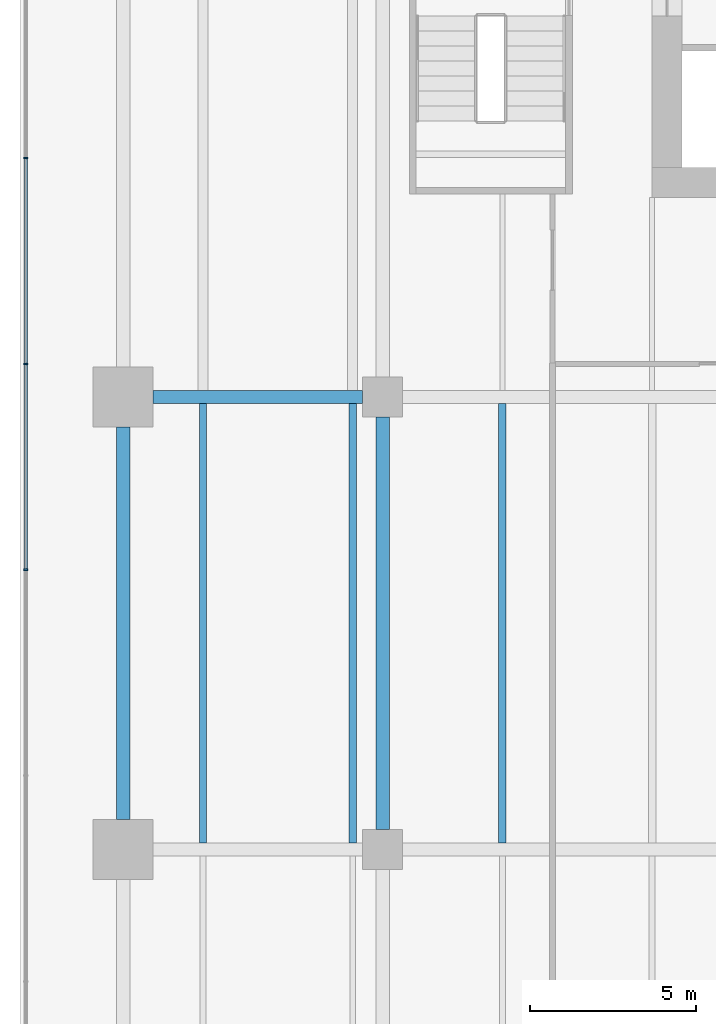
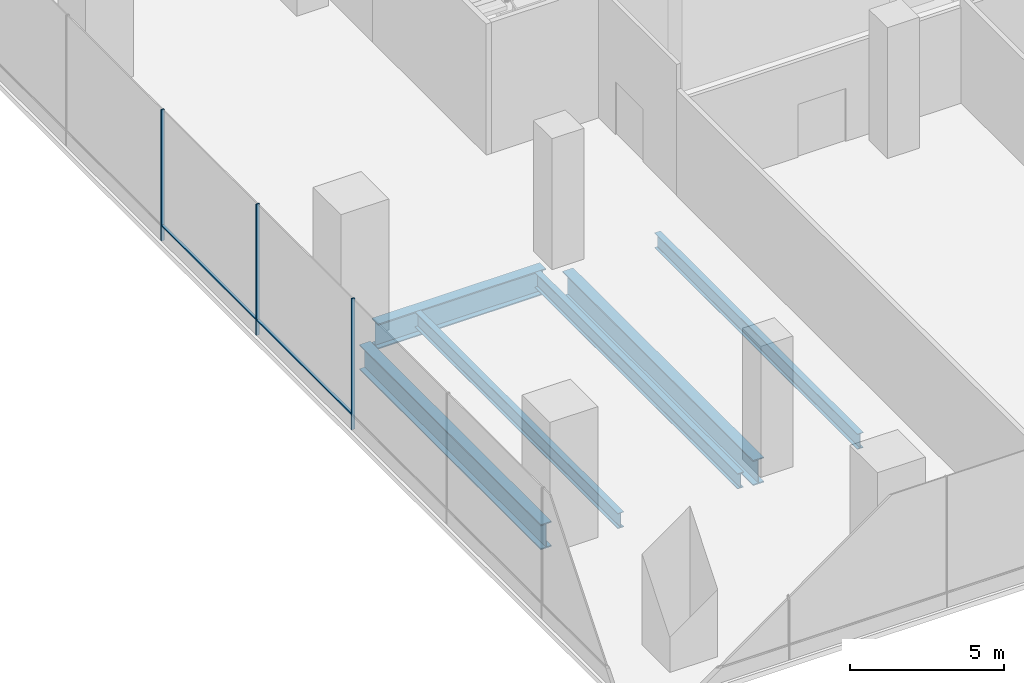
# One storey, part 4 of 26: 6 beams, 5 members, 1 element without a shape of its own.
"""IFC4 building model written with IfcOpenShell, lengths in metres."""

import ifcopenshell
import ifcopenshell.guid

model = None  # the IFC model being written
_history = None  # IfcOwnerHistory: only IFC2X3 demands one
_inside = {}  # id of a spatial element -> (the spatial element, [elements in it])
_under = {}  # id of a project, library or spatial element -> (it, [spatial elements below it])
_declared = {}  # id of a project -> (the project, [libraries it declares])
_typed = {}  # id of a type object -> (the type object, [elements of that type])
_made_of = {}  # id of a material, layer set ... -> (it, [elements and type objects made of it])


def new_model(schema):
    """Start an empty IFC model of exactly this schema.

    Asked for "IFC4X3", IfcOpenShell would pick the latest addendum, in which some entities
    have other attributes; the version numbers below select the first issue.
    IFC2X3 requires an IfcOwnerHistory on every rooted entity: one is made here for all.
    """
    global model, _history
    if schema == "IFC4X3":
        model = ifcopenshell.file(schema_version=(4, 3, 0, 0))
    else:
        model = ifcopenshell.file(schema=schema)
    _inside.clear()
    _under.clear()
    _declared.clear()
    _typed.clear()
    _made_of.clear()
    _history = None
    if model.schema == "IFC2X3":
        org = make("IfcOrganization", Name="unknown")
        user = make(
            "IfcPersonAndOrganization",
            ThePerson=make("IfcPerson", FamilyName="unknown"),
            TheOrganization=org,
        )
        app = make(
            "IfcApplication",
            ApplicationDeveloper=org,
            Version="unknown",
            ApplicationFullName="unknown",
            ApplicationIdentifier="unknown",
        )
        _history = make(
            "IfcOwnerHistory",
            OwningUser=user,
            OwningApplication=app,
            ChangeAction="ADDED",
            CreationDate=0,
        )
    return model


def make(cls, **values):
    """One entity of the class cls with the attributes given. An attribute that is None is left unset."""
    return model.create_entity(
        cls, **{name: value for name, value in values.items() if value is not None}
    )


def rooted(cls, **values):
    """An entity with a GlobalId (a new one), such as an element, a storey or a relation."""
    return make(cls, GlobalId=ifcopenshell.guid.new(), OwnerHistory=_history, **values)


def si_unit(unit_type, name, prefix=None):
    """IfcSIUnit, for example si_unit("LENGTHUNIT", "METRE", prefix="MILLI")."""
    return make("IfcSIUnit", UnitType=unit_type, Prefix=prefix, Name=name)


def assignment(units):
    """IfcUnitAssignment: the units of a project."""
    return None if units is None else make("IfcUnitAssignment", Units=units)


def point(xyz):
    """IfcCartesianPoint."""
    return None if xyz is None else make("IfcCartesianPoint", Coordinates=xyz)


def direction(xyz):
    """IfcDirection."""
    return None if xyz is None else make("IfcDirection", DirectionRatios=xyz)


def frame(location, z_axis=None, x_axis=None):
    """IfcAxis2Placement3D, a coordinate frame: its origin and axes. An axis left out is left unset."""
    return make(
        "IfcAxis2Placement3D",
        Location=point(location),
        Axis=direction(z_axis),
        RefDirection=direction(x_axis),
    )


def frame_2d(location, x_axis=None):
    """IfcAxis2Placement2D, a coordinate frame in the plane: its origin and x axis."""
    return make(
        "IfcAxis2Placement2D", Location=point(location), RefDirection=direction(x_axis)
    )


def origin():
    """The frame at (0, 0, 0) with its axes left unset."""
    return frame((0.0, 0.0, 0.0))


def origin_2d():
    """The frame at (0, 0) in the plane with its x axis left unset."""
    return frame_2d((0.0, 0.0))


def place(relative_to, where):
    """IfcLocalPlacement: puts the frame where relative to a parent placement (None: the world)."""
    return make(
        "IfcLocalPlacement", PlacementRelTo=relative_to, RelativePlacement=where
    )


def context(
    kind, dimensions, precision=None, world=None, true_north=None, identifier=None
):
    """IfcGeometricRepresentationContext, for example the 3D "Model" context."""
    return make(
        "IfcGeometricRepresentationContext",
        ContextIdentifier=identifier,
        ContextType=kind,
        CoordinateSpaceDimension=dimensions,
        Precision=precision,
        WorldCoordinateSystem=world,
        TrueNorth=true_north,
    )


def subcontext(parent, identifier, kind, view, scale=None):
    """IfcGeometricRepresentationSubContext, for example "Body" below "Model"."""
    return make(
        "IfcGeometricRepresentationSubContext",
        ContextIdentifier=identifier,
        ContextType=kind,
        ParentContext=parent,
        TargetScale=scale,
        TargetView=view,
    )


def project(units=None, contexts=None):
    """IfcProject with its units and contexts."""
    return rooted(
        "IfcProject",
        Name="project",
        RepresentationContexts=contexts,
        UnitsInContext=assignment(units),
    )


def spatial(cls, under=None, at=None, **own):
    """A site, building, storey or space (cls), placed at a placement, below another one or the project."""
    s = rooted(cls, ObjectPlacement=at, **own)
    if under is not None:
        _under.setdefault(under.id(), (under, []))[1].append(s)
    return s


def profile(cls, at=None, kind="AREA", **sizes):
    """A parametric profile (cls). Its sizes go by their IFC names, for example OverallWidth=200.0."""
    return make(cls, ProfileType=kind, Position=at, **sizes)


def rectangle(**sizes):
    """IfcRectangleProfileDef."""
    return profile("IfcRectangleProfileDef", **sizes)


def i_section(**sizes):
    """IfcIShapeProfileDef."""
    return profile("IfcIShapeProfileDef", **sizes)


def extrude(swept, where, along, depth):
    """IfcExtrudedAreaSolid: the profile swept, set in the frame where, extruded along a direction by depth."""
    return make(
        "IfcExtrudedAreaSolid",
        SweptArea=swept,
        Position=where,
        ExtrudedDirection=direction(along),
        Depth=depth,
    )


def shape(context_of_items, identifier, shape_type, items):
    """IfcShapeRepresentation: the items that make up one representation, for example the "Body"."""
    return make(
        "IfcShapeRepresentation",
        ContextOfItems=context_of_items,
        RepresentationIdentifier=identifier,
        RepresentationType=shape_type,
        Items=items,
    )


def material(Name=None, Category=None):
    """IfcMaterial."""
    return make("IfcMaterial", Name=Name, Category=Category)


def layer(
    of_material, thickness, ventilated=None, Name=None, Category=None, Priority=None
):
    """IfcMaterialLayer: one layer of a wall or slab, of a material (None: an air gap)."""
    return make(
        "IfcMaterialLayer",
        Material=of_material,
        LayerThickness=thickness,
        IsVentilated=ventilated,
        Name=Name,
        Category=Category,
        Priority=Priority,
    )


def layer_set(layers, Name=None):
    """IfcMaterialLayerSet."""
    return make("IfcMaterialLayerSet", MaterialLayers=layers, LayerSetName=Name)


def material_profile(
    of_material, cross_section, Name=None, Category=None, Priority=None
):
    """IfcMaterialProfile: a cross section and its material."""
    return make(
        "IfcMaterialProfile",
        Name=Name,
        Material=of_material,
        Profile=cross_section,
        Priority=Priority,
        Category=Category,
    )


def profile_set(profiles, Name=None, composite=None):
    """IfcMaterialProfileSet."""
    return make(
        "IfcMaterialProfileSet",
        Name=Name,
        MaterialProfiles=profiles,
        CompositeProfile=composite,
    )


def made_of(thing, what):
    """Note that an element or type object is made of a material, layer set ...; save() writes the relation."""
    if what is not None:
        _made_of.setdefault(what.id(), (what, []))[1].append(thing)
    return thing


def type_object(cls, material=None, **own):
    """A type object (cls), such as IfcWallType, which elements share."""
    return made_of(rooted(cls, **own), material)


def element(
    cls,
    number,
    at=None,
    inside=None,
    cuts=None,
    type_object=None,
    material=None,
    context=None,
    identifier="Body",
    shape_type=None,
    held_by="IfcProductDefinitionShape",
    body=None,
    shapes=None,
    **own,
):
    """One element of the class cls, such as IfcWall. Its Tag is "e" and its number.

    at: its placement. inside: the storey or other place that contains it. cuts: it is an
    opening in that element (IfcRelVoidsElement). A single representation is given by context,
    identifier, shape_type and body (its items); several are given by shapes. held_by: the class
    of the entity that holds the representations. save() writes the other relations.
    """
    e = rooted(cls, Tag="e%d" % number, ObjectPlacement=at, **own)
    if body is not None:
        shapes = [shape(context, identifier, shape_type, body)]
    if shapes is not None:
        e.Representation = make(held_by, Representations=shapes)
    if inside is not None:
        _inside.setdefault(inside.id(), (inside, []))[1].append(e)
    if cuts is not None:
        rooted(
            "IfcRelVoidsElement", RelatingBuildingElement=cuts, RelatedOpeningElement=e
        )
    if type_object is not None:
        _typed.setdefault(type_object.id(), (type_object, []))[1].append(e)
    return made_of(e, material)


def aggregate(whole, parts):
    """IfcRelAggregates: a whole, such as a stair, and the parts it consists of."""
    return rooted("IfcRelAggregates", RelatingObject=whole, RelatedObjects=parts)


def save(model, path):
    """Write the relations noted so far, then the file.

    IfcRelAggregates (storeys below a building ...), IfcRelContainedInSpatialStructure (elements
    in a storey), IfcRelDefinesByType, IfcRelAssociatesMaterial and IfcRelDeclares: one each for
    every whole, place, type object, material and project.
    """
    for whole, parts in _under.values():
        aggregate(whole, parts)
    for where, things in _inside.values():
        rooted(
            "IfcRelContainedInSpatialStructure",
            RelatedElements=things,
            RelatingStructure=where,
        )
    for kind, things in _typed.values():
        rooted("IfcRelDefinesByType", RelatedObjects=things, RelatingType=kind)
    for what, things in _made_of.values():
        rooted("IfcRelAssociatesMaterial", RelatedObjects=things, RelatingMaterial=what)
    for by, libraries in _declared.values():
        rooted("IfcRelDeclares", RelatingContext=by, RelatedDefinitions=libraries)
    model.write(path)


model = new_model("IFC4")

# Units and contexts
model_context = context("Model", 3, precision=1e-05, world=origin(), true_north=direction((0.0, 1.0)))
body_context = subcontext(model_context, "Body", "Model", "MODEL_VIEW")
ifc_project = project(units=[si_unit("LENGTHUNIT", "METRE"), si_unit("AREAUNIT", "SQUARE_METRE"), si_unit("VOLUMEUNIT", "CUBIC_METRE"), si_unit("PLANEANGLEUNIT", "RADIAN"), si_unit("MASSUNIT", "GRAM", prefix="KILO")], contexts=[model_context])

# Site, building, storey
site_placement = place(None, origin())
site = spatial("IfcSite", under=ifc_project, at=site_placement, CompositionType="ELEMENT")
building_placement = place(site_placement, origin())
building = spatial("IfcBuilding", under=site, at=building_placement, Name="Rattan Terrace Tower", CompositionType="ELEMENT")
storey_placement = place(building_placement, frame((0.0, 0.0, 7.199951171875)))
storey = spatial("IfcBuildingStorey", under=building, at=storey_placement, Name="L01", CompositionType="ELEMENT", Elevation=7.199951171875)

# Beams
ifc_material_1 = material(Name="Steel S355", Category="steel")
ifc_material_profile_1 = material_profile(ifc_material_1, i_section(OverallWidth=0.22412109375, OverallDepth=0.610107421875, WebThickness=0.014892578125, FlangeThickness=0.02392578125, FilletRadius=0.02392578125, at=origin_2d()), Name="IPE O 600")
ifc_profile_set_1 = profile_set([ifc_material_profile_1], Name="Steel S355")
beam_type_1 = type_object("IfcBeamType", Name="Frame floor beam IPE O 600", PredefinedType="JOIST", material=ifc_profile_set_1)
for number, where, z_axis, x_axis, name in (
    (1, (-31.5, -26.89990234375, -0.5048828125), (0.0, 1.0, 0.0), (-1.0, 0.0, 0.0), "bm-L01-015"),
    (2, (-27.0, -26.89990234375, -0.5048828125), (0.0, 1.0, 0.0), (-1.0, 0.0, 0.0), "bm-L01-016"),
    (3, (-22.5, -26.89990234375, -0.5048828125), (0.0, 1.0, 0.0), (-1.0, 0.0, 0.0), "bm-L01-017"),
):
    element("IfcBeam", number, at=place(storey_placement, frame(where, z_axis=z_axis, x_axis=x_axis)), inside=storey, type_object=beam_type_1, Name=name, PredefinedType="JOIST", context=body_context, shape_type="SweptSolid", body=[
        extrude(i_section(OverallWidth=0.22412109375, OverallDepth=0.610107421875, WebThickness=0.014892578125, FlangeThickness=0.02392578125, FilletRadius=0.02392578125, at=origin_2d()), origin(), (0.0, 0.0, 1.0), 13.199951171875),
    ])
ifc_material_2 = material(Name="Steel S460", Category="steel")
ifc_material_profile_2 = material_profile(ifc_material_2, i_section(OverallWidth=0.39990234375, OverallDepth=1.0, WebThickness=0.01806640625, FlangeThickness=0.044921875, at=origin_2d()), Name="PG 1000x400-18-45")
ifc_profile_set_2 = profile_set([ifc_material_profile_2], Name="Steel S460")
beam_type_2 = type_object("IfcBeamType", Name="Frame podium girder PG 1000x400-18-45", PredefinedType="USERDEFINED", material=ifc_profile_set_2)
beam_1_placement = place(storey_placement, frame((-26.10009765625, -26.5, -0.699951171875), z_axis=(0.0, 1.0, 0.0), x_axis=(-1.0, 0.0, 0.0)))
element("IfcBeam", 4, at=beam_1_placement, inside=storey, type_object=beam_type_2, Name="gdr-L01-020", ObjectType="PODIUM GIRDER", PredefinedType="USERDEFINED", context=body_context, shape_type="SweptSolid", body=[
    extrude(i_section(OverallWidth=0.39990234375, OverallDepth=1.0, WebThickness=0.01806640625, FlangeThickness=0.044921875, at=origin_2d()), origin(), (0.0, 0.0, 1.0), 12.39990234375),
])
beam_2_placement = place(storey_placement, frame((-33.89990234375, -26.199951171875, -0.699951171875), z_axis=(0.0, 1.0, 0.0), x_axis=(-1.0, 0.0, 0.0)))
element("IfcBeam", 5, at=beam_2_placement, inside=storey, type_object=beam_type_2, Name="gdr-L01-025", ObjectType="PODIUM GIRDER", PredefinedType="USERDEFINED", context=body_context, shape_type="SweptSolid", body=[
    extrude(i_section(OverallWidth=0.39990234375, OverallDepth=1.0, WebThickness=0.01806640625, FlangeThickness=0.044921875, at=origin_2d()), origin(), (0.0, 0.0, 1.0), 11.800048828125),
])
beam_3_placement = place(storey_placement, frame((-33.0, -13.5, -0.699951171875), z_axis=(1.0, 0.0, 0.0), x_axis=(0.0, 1.0, 0.0)))
element("IfcBeam", 6, at=beam_3_placement, inside=storey, type_object=beam_type_2, Name="gdr-L01-027", ObjectType="PODIUM GIRDER", PredefinedType="USERDEFINED", context=body_context, shape_type="SweptSolid", body=[
    extrude(i_section(OverallWidth=0.39990234375, OverallDepth=1.0, WebThickness=0.01806640625, FlangeThickness=0.044921875, at=origin_2d()), origin(), (0.0, 0.0, 1.0), 6.300048828125),
])

# Curtain wall, members
ifc_material_3 = material(Name="Aluminium and glass", Category="aluminium")
ifc_layer = layer(ifc_material_3, 0.1201171875)
ifc_layer_set = layer_set([ifc_layer], Name="Station Storefront Curtain Wall")
curtain_wall_type = type_object("IfcCurtainWallType", Name="Station Storefront Curtain Wall", PredefinedType="NOTDEFINED", material=ifc_layer_set)
curtain_wall_placement = place(storey_placement, origin())
curtain_wall = element("IfcCurtainWall", 7, at=curtain_wall_placement, inside=storey, type_object=curtain_wall_type, Name="Storefront curtain wall L01-3", PredefinedType="NOTDEFINED")
ifc_material_4 = material(Name="Aluminium", Category="aluminium")
ifc_material_profile_3 = material_profile(ifc_material_4, rectangle(XDim=0.050048828125, YDim=0.1201171875, at=origin_2d()), Name="Aluminium 50x120")
ifc_profile_set_3 = profile_set([ifc_material_profile_3], Name="Aluminium")
member_type_1 = type_object("IfcMemberType", Name="Storefront CW Mullion 50x120", PredefinedType="MULLION", material=ifc_profile_set_3)
member_1_placement = place(storey_placement, frame((-36.830078125, -6.31396484375, 0.0), z_axis=(0.0, 0.0, 1.0), x_axis=(0.0, -1.0, 0.0)))
member_1 = element("IfcMember", 8, at=member_1_placement, type_object=member_type_1, Name="Mullion cwl-L01-003.4", PredefinedType="MULLION", context=body_context, shape_type="SweptSolid", body=[
    extrude(rectangle(XDim=0.050048828125, YDim=0.1201171875, at=origin_2d()), origin(), (0.0, 0.0, 1.0), 5.199951171875),
])
member_2_placement = place(storey_placement, frame((-36.830078125, -12.501953125, 0.0), z_axis=(0.0, 0.0, 1.0), x_axis=(0.0, -1.0, 0.0)))
member_2 = element("IfcMember", 9, at=member_2_placement, type_object=member_type_1, Name="Mullion cwl-L01-003.5", PredefinedType="MULLION", context=body_context, shape_type="SweptSolid", body=[
    extrude(rectangle(XDim=0.050048828125, YDim=0.1201171875, at=origin_2d()), origin(), (0.0, 0.0, 1.0), 5.199951171875),
])
member_3_placement = place(storey_placement, frame((-36.830078125, -18.68994140625, 0.0), z_axis=(0.0, 0.0, 1.0), x_axis=(0.0, -1.0, 0.0)))
member_3 = element("IfcMember", 10, at=member_3_placement, type_object=member_type_1, Name="Mullion cwl-L01-003.6", PredefinedType="MULLION", context=body_context, shape_type="SweptSolid", body=[
    extrude(rectangle(XDim=0.050048828125, YDim=0.1201171875, at=origin_2d()), origin(), (0.0, 0.0, 1.0), 5.199951171875),
])
ifc_material_5 = material(Name="Aluminium", Category="aluminium")
ifc_material_profile_4 = material_profile(ifc_material_5, rectangle(XDim=0.10009765625, YDim=0.050048828125, at=origin_2d()), Name="Aluminium 100x50")
ifc_profile_set_4 = profile_set([ifc_material_profile_4], Name="Aluminium")
member_type_2 = type_object("IfcMemberType", Name="Storefront CW Transom 100x50", PredefinedType="USERDEFINED", material=ifc_profile_set_4)
member_4_placement = place(storey_placement, frame((-36.830078125, -6.339111328125, 0.60009765625), z_axis=(0.0, -1.0, 0.0), x_axis=(1.0, 0.0, 0.0)))
member_4 = element("IfcMember", 11, at=member_4_placement, type_object=member_type_2, Name="Transom cwl-L01-003.4", ObjectType="TRANSOM", PredefinedType="USERDEFINED", context=body_context, shape_type="SweptSolid", body=[
    extrude(rectangle(XDim=0.10009765625, YDim=0.050048828125, at=origin_2d()), origin(), (0.0, 0.0, 1.0), 6.137939453125),
])
member_5_placement = place(storey_placement, frame((-36.830078125, -12.527099609375, 0.60009765625), z_axis=(0.0, -1.0, 0.0), x_axis=(1.0, 0.0, 0.0)))
member_5 = element("IfcMember", 12, at=member_5_placement, type_object=member_type_2, Name="Transom cwl-L01-003.5", ObjectType="TRANSOM", PredefinedType="USERDEFINED", context=body_context, shape_type="SweptSolid", body=[
    extrude(rectangle(XDim=0.10009765625, YDim=0.050048828125, at=origin_2d()), origin(), (0.0, 0.0, 1.0), 6.137939453125),
])
aggregate(curtain_wall, [member_1, member_2, member_3, member_4, member_5])

save(model, "model.ifc")
